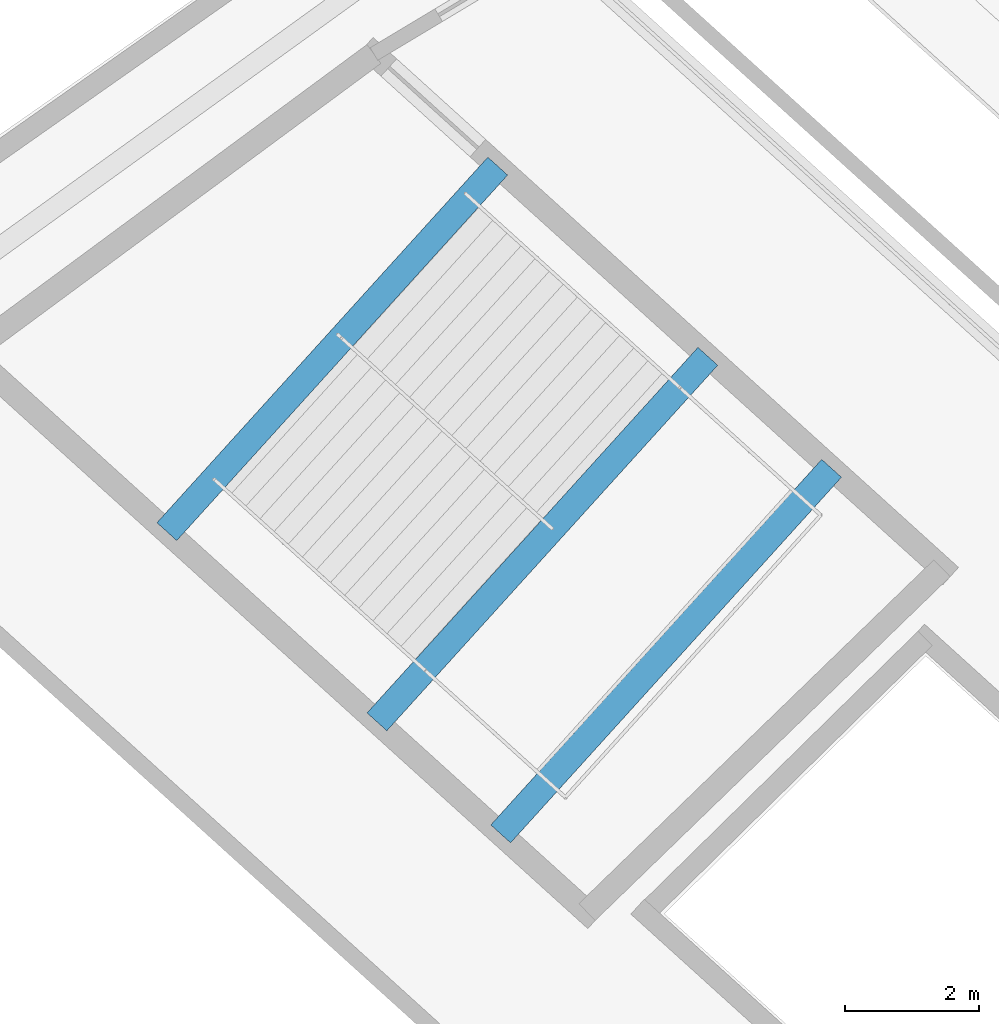
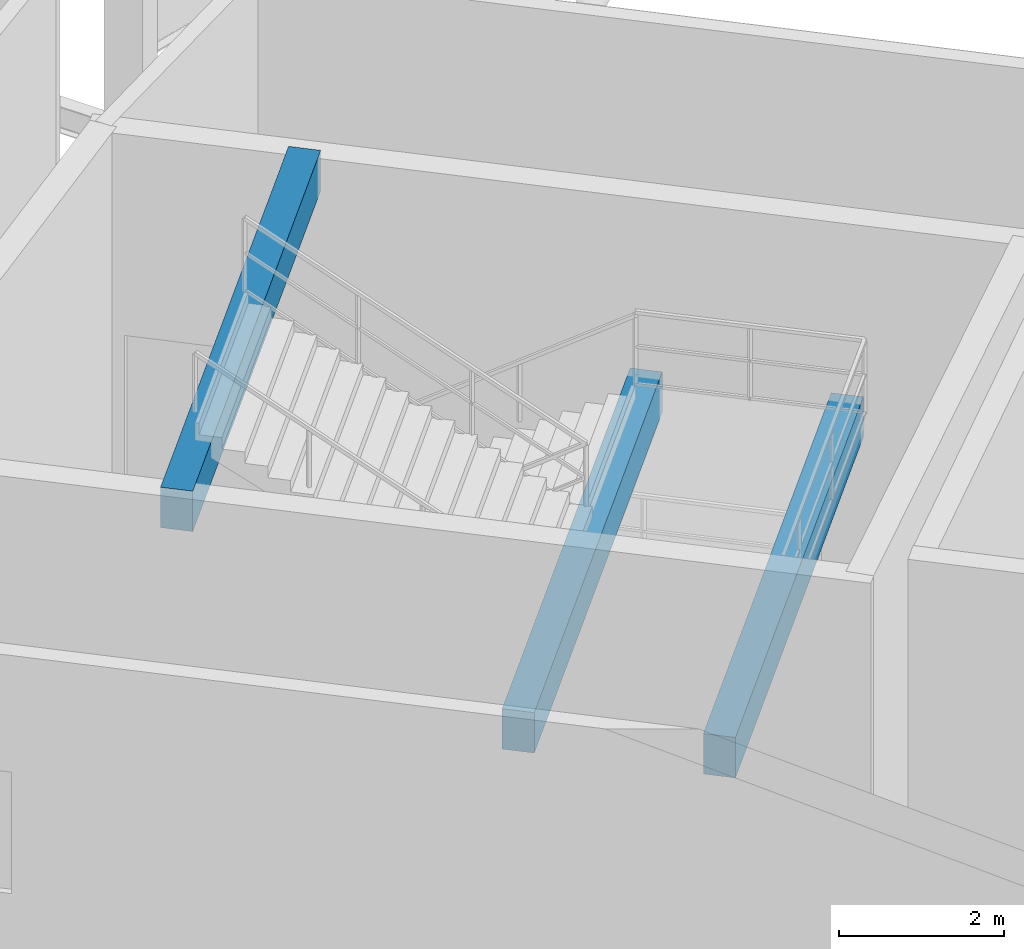
# One storey, part 13 of 186: 3 beams.
"""IFC4 building model written with IfcOpenShell, lengths in metres."""

from ifc_helpers import new_model, si_unit, direction, frame, origin, origin_2d, place, context, subcontext, project, spatial, rectangle, extrude, material, material_profile, profile_set, type_object, element, save


model = new_model("IFC4")

# Units and contexts
model_context = context("Model", 3, precision=1e-05, world=origin(), true_north=direction((0.0, 1.0)))
body_context = subcontext(model_context, "Body", "Model", "MODEL_VIEW")
ifc_project = project(units=[si_unit("LENGTHUNIT", "METRE"), si_unit("AREAUNIT", "SQUARE_METRE"), si_unit("VOLUMEUNIT", "CUBIC_METRE"), si_unit("PLANEANGLEUNIT", "RADIAN"), si_unit("MASSUNIT", "GRAM", prefix="KILO")], contexts=[model_context])

# Site, building, storey
site_placement = place(None, origin())
site = spatial("IfcSite", under=ifc_project, at=site_placement, CompositionType="ELEMENT")
building_placement = place(site_placement, origin())
building = spatial("IfcBuilding", under=site, at=building_placement, Name="Kazemori Nagisa Stadium", CompositionType="ELEMENT")
storey_placement = place(building_placement, frame((0.0, 0.0, 20.39990234375)))
storey = spatial("IfcBuildingStorey", under=building, at=storey_placement, Name="L04", CompositionType="ELEMENT", Elevation=20.39990234375)

# Beams
ifc_material = material(Name="Concrete C40/50 (Fc42)", Category="concrete")
ifc_material_profile = material_profile(ifc_material, rectangle(XDim=0.39990234375, YDim=0.60009765625, at=origin_2d()), Name="RC-BM-400x600")
ifc_profile_set = profile_set([ifc_material_profile], Name="Concrete C40/50 (Fc42)")
beam_type = type_object("IfcBeamType", Name="Beam_BG-LND400X600", PredefinedType="BEAM", material=ifc_profile_set)
beam_1_placement = place(storey_placement, frame((58.692626953125, 46.282958984375, 2.22021484375), z_axis=(-0.671129682405, -0.741339968837, 0.0), x_axis=(0.741339968837, -0.671129682405, 0.0)))
element("IfcBeam", 1, at=beam_1_placement, inside=storey, type_object=beam_type, Name="Core stair mid-landing girder ST03-L04-1", PredefinedType="BEAM", context=body_context, shape_type="SweptSolid", body=[
    extrude(rectangle(XDim=0.39990234375, YDim=0.60009765625, at=origin_2d()), origin(), (0.0, 0.0, 1.0), 7.3857421875),
])
beam_2_placement = place(storey_placement, frame((60.5458984375, 44.605224609375, 2.22021484375), z_axis=(-0.671113236271, -0.74135485707, 0.0), x_axis=(0.74135485707, -0.671113236271, 0.0)))
element("IfcBeam", 2, at=beam_2_placement, inside=storey, type_object=beam_type, Name="Core stair mid-landing girder ST03-L04-2", PredefinedType="BEAM", context=body_context, shape_type="SweptSolid", body=[
    extrude(rectangle(XDim=0.39990234375, YDim=0.60009765625, at=origin_2d()), origin(), (0.0, 0.0, 1.0), 7.385986328125),
])
beam_3_placement = place(storey_placement, frame((55.545654296875, 49.1318359375, 4.880126953125), z_axis=(-0.671129682405, -0.741339968837, 0.0), x_axis=(0.741339968837, -0.671129682405, 0.0)))
element("IfcBeam", 3, at=beam_3_placement, inside=storey, type_object=beam_type, Name="Core stair arrival header girder ST03-L04", PredefinedType="BEAM", context=body_context, shape_type="SweptSolid", body=[
    extrude(rectangle(XDim=0.39990234375, YDim=0.60009765625, at=origin_2d()), origin(), (0.0, 0.0, 1.0), 7.3857421875),
])

save(model, "model.ifc")
